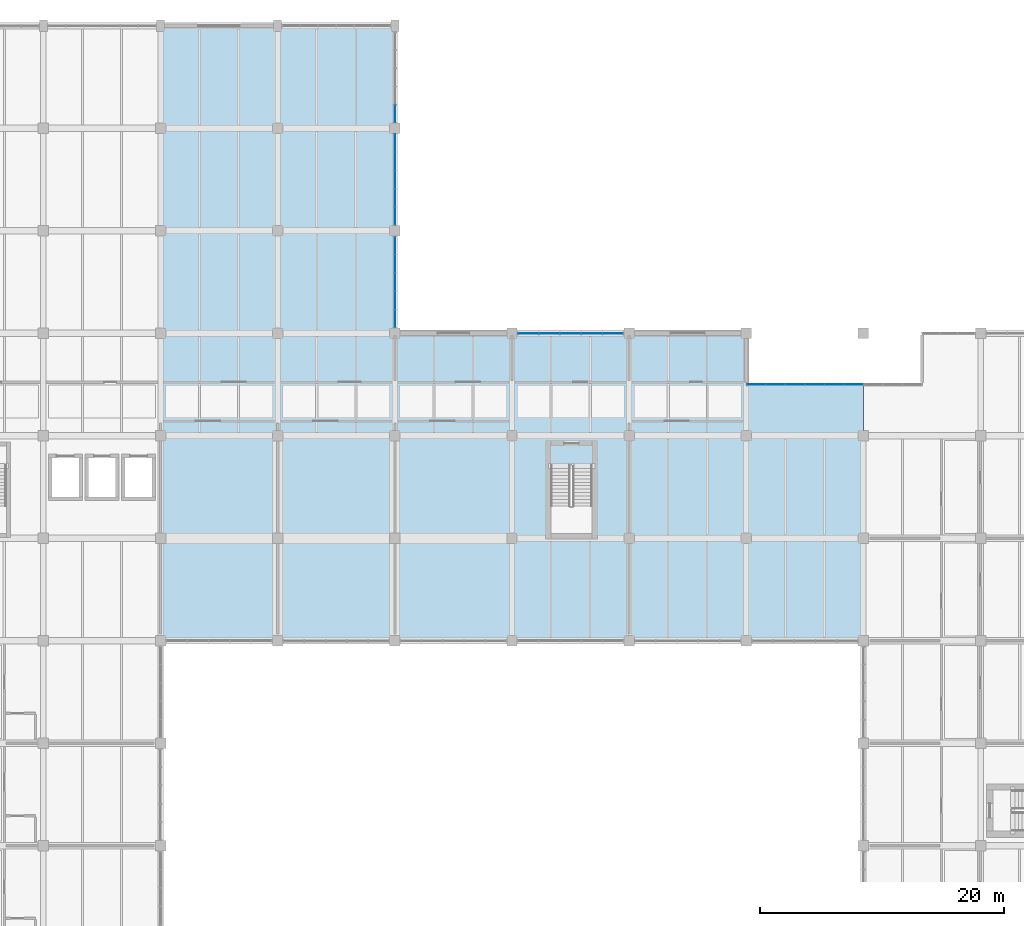
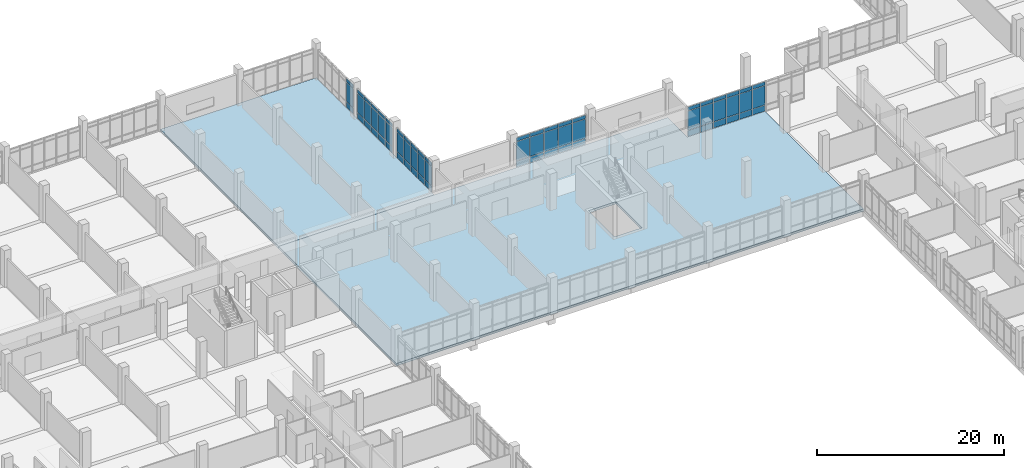
# One storey, part 94 of 152: 66 plates, 2 slabs, 5 elements without a shape of their own.
"""IFC4 building model written with IfcOpenShell, lengths in metres."""

from ifc_helpers import new_model, si_unit, direction, frame, origin, origin_2d, place, context, subcontext, project, spatial, polyline, rectangle, outline, extrude, material, layer, layer_set, type_object, element, aggregate, save


model = new_model("IFC4")

# Units and contexts
model_context = context("Model", 3, precision=1e-05, world=origin(), true_north=direction((0.0, 1.0)))
body_context = subcontext(model_context, "Body", "Model", "MODEL_VIEW")
ifc_project = project(units=[si_unit("LENGTHUNIT", "METRE"), si_unit("AREAUNIT", "SQUARE_METRE"), si_unit("VOLUMEUNIT", "CUBIC_METRE"), si_unit("PLANEANGLEUNIT", "RADIAN"), si_unit("MASSUNIT", "GRAM", prefix="KILO")], contexts=[model_context])

# Site, building, storey
site_placement = place(None, origin())
site = spatial("IfcSite", under=ifc_project, at=site_placement, CompositionType="ELEMENT")
building_placement = place(site_placement, origin())
building = spatial("IfcBuilding", under=site, at=building_placement, Name="Oolite Switchyard Hospital", CompositionType="ELEMENT")
storey_placement = place(building_placement, frame((0.0, 0.0, 5.10009765625)))
storey = spatial("IfcBuildingStorey", under=building, at=storey_placement, Name="L01", CompositionType="ELEMENT", Elevation=5.10009765625)

# Curtain wall, plates
ifc_material_1 = material(Name="Thermally broken aluminum frame with laminated impact glazing", Category="aluminium")
curtain_wall_type_1 = type_object("IfcCurtainWallType", Name="CW-UNIT-96X48", PredefinedType="USERDEFINED", material=ifc_material_1)
curtain_wall_1_placement = place(storey_placement, origin())
curtain_wall_1 = element("IfcCurtainWall", 1, at=curtain_wall_1_placement, inside=storey, type_object=curtain_wall_type_1, Name="L01 Unitised Curtain Wall 146", ObjectType="UNITISED", PredefinedType="USERDEFINED")
ifc_material_2 = material(Name="Insulated fluoropolymer-coated aluminum spandrel panel", Category="aluminium")
ifc_layer_1 = layer(ifc_material_2, 0.054931640625)
ifc_layer_set_1 = layer_set([ifc_layer_1], Name="CW-PNL-SPN55")
plate_type_1 = type_object("IfcPlateType", Name="CW-PNL-SPN55", PredefinedType="CURTAIN_PANEL", material=ifc_layer_set_1)
plate_1_placement = place(storey_placement, frame((106.4150390625, 105.0, 0.06005859375), z_axis=(0.0, 0.0, 1.0), x_axis=(1.0, 0.0, 0.0)))
plate_1 = element("IfcPlate", 2, at=plate_1_placement, type_object=plate_type_1, Name="CW-02 panel 1.1", PredefinedType="CURTAIN_PANEL", context=body_context, shape_type="SweptSolid", body=[
    extrude(rectangle(XDim=1.510009765625, YDim=0.054931640625, at=origin_2d()), origin(), (0.0, 0.0, 1.0), 0.760009765625),
])
plate_2_placement = place(storey_placement, frame((106.4150390625, 105.0, 0.8798828125), z_axis=(0.0, 0.0, 1.0), x_axis=(1.0, 0.0, 0.0)))
plate_2 = element("IfcPlate", 3, at=plate_2_placement, type_object=plate_type_1, Name="CW-02 panel 1.2", PredefinedType="CURTAIN_PANEL", context=body_context, shape_type="SweptSolid", body=[
    extrude(rectangle(XDim=1.510009765625, YDim=0.054931640625, at=origin_2d()), origin(), (0.0, 0.0, 1.0), 2.47998046875),
])
plate_3_placement = place(storey_placement, frame((106.4150390625, 105.0, 3.419921875), z_axis=(0.0, 0.0, 1.0), x_axis=(1.0, 0.0, 0.0)))
plate_3 = element("IfcPlate", 4, at=plate_3_placement, type_object=plate_type_1, Name="CW-02 panel 1.3", PredefinedType="CURTAIN_PANEL", context=body_context, shape_type="SweptSolid", body=[
    extrude(rectangle(XDim=1.510009765625, YDim=0.054931640625, at=origin_2d()), origin(), (0.0, 0.0, 1.0), 0.4599609375),
])
plate_4_placement = place(storey_placement, frame((108.0, 105.0, 0.06005859375), z_axis=(0.0, 0.0, 1.0), x_axis=(1.0, 0.0, 0.0)))
plate_4 = element("IfcPlate", 5, at=plate_4_placement, type_object=plate_type_1, Name="CW-02 panel 2.1", PredefinedType="CURTAIN_PANEL", context=body_context, shape_type="SweptSolid", body=[
    extrude(rectangle(XDim=1.5400390625, YDim=0.054931640625, at=origin_2d()), origin(), (0.0, 0.0, 1.0), 0.760009765625),
])
plate_5_placement = place(storey_placement, frame((108.0, 105.0, 0.8798828125), z_axis=(0.0, 0.0, 1.0), x_axis=(1.0, 0.0, 0.0)))
plate_5 = element("IfcPlate", 6, at=plate_5_placement, type_object=plate_type_1, Name="CW-02 panel 2.2", PredefinedType="CURTAIN_PANEL", context=body_context, shape_type="SweptSolid", body=[
    extrude(rectangle(XDim=1.5400390625, YDim=0.054931640625, at=origin_2d()), origin(), (0.0, 0.0, 1.0), 2.47998046875),
])
plate_6_placement = place(storey_placement, frame((108.0, 105.0, 3.419921875), z_axis=(0.0, 0.0, 1.0), x_axis=(1.0, 0.0, 0.0)))
plate_6 = element("IfcPlate", 7, at=plate_6_placement, type_object=plate_type_1, Name="CW-02 panel 2.3", PredefinedType="CURTAIN_PANEL", context=body_context, shape_type="SweptSolid", body=[
    extrude(rectangle(XDim=1.5400390625, YDim=0.054931640625, at=origin_2d()), origin(), (0.0, 0.0, 1.0), 0.4599609375),
])
plate_7_placement = place(storey_placement, frame((109.60009765625, 105.0, 0.06005859375), z_axis=(0.0, 0.0, 1.0), x_axis=(1.0, 0.0, 0.0)))
plate_7 = element("IfcPlate", 8, at=plate_7_placement, type_object=plate_type_1, Name="CW-02 panel 3.1", PredefinedType="CURTAIN_PANEL", context=body_context, shape_type="SweptSolid", body=[
    extrude(rectangle(XDim=1.5400390625, YDim=0.054931640625, at=origin_2d()), origin(), (0.0, 0.0, 1.0), 0.760009765625),
])
plate_8_placement = place(storey_placement, frame((109.60009765625, 105.0, 0.8798828125), z_axis=(0.0, 0.0, 1.0), x_axis=(1.0, 0.0, 0.0)))
plate_8 = element("IfcPlate", 9, at=plate_8_placement, type_object=plate_type_1, Name="CW-02 panel 3.2", PredefinedType="CURTAIN_PANEL", context=body_context, shape_type="SweptSolid", body=[
    extrude(rectangle(XDim=1.5400390625, YDim=0.054931640625, at=origin_2d()), origin(), (0.0, 0.0, 1.0), 2.47998046875),
])
plate_9_placement = place(storey_placement, frame((109.60009765625, 105.0, 3.419921875), z_axis=(0.0, 0.0, 1.0), x_axis=(1.0, 0.0, 0.0)))
plate_9 = element("IfcPlate", 10, at=plate_9_placement, type_object=plate_type_1, Name="CW-02 panel 3.3", PredefinedType="CURTAIN_PANEL", context=body_context, shape_type="SweptSolid", body=[
    extrude(rectangle(XDim=1.5400390625, YDim=0.054931640625, at=origin_2d()), origin(), (0.0, 0.0, 1.0), 0.4599609375),
])
plate_10_placement = place(storey_placement, frame((111.199951171875, 105.0, 0.06005859375), z_axis=(0.0, 0.0, 1.0), x_axis=(1.0, 0.0, 0.0)))
plate_10 = element("IfcPlate", 11, at=plate_10_placement, type_object=plate_type_1, Name="CW-02 panel 4.1", PredefinedType="CURTAIN_PANEL", context=body_context, shape_type="SweptSolid", body=[
    extrude(rectangle(XDim=1.5400390625, YDim=0.054931640625, at=origin_2d()), origin(), (0.0, 0.0, 1.0), 0.760009765625),
])
plate_11_placement = place(storey_placement, frame((111.199951171875, 105.0, 0.8798828125), z_axis=(0.0, 0.0, 1.0), x_axis=(1.0, 0.0, 0.0)))
plate_11 = element("IfcPlate", 12, at=plate_11_placement, type_object=plate_type_1, Name="CW-02 panel 4.2", PredefinedType="CURTAIN_PANEL", context=body_context, shape_type="SweptSolid", body=[
    extrude(rectangle(XDim=1.5400390625, YDim=0.054931640625, at=origin_2d()), origin(), (0.0, 0.0, 1.0), 2.47998046875),
])
plate_12_placement = place(storey_placement, frame((111.199951171875, 105.0, 3.419921875), z_axis=(0.0, 0.0, 1.0), x_axis=(1.0, 0.0, 0.0)))
plate_12 = element("IfcPlate", 13, at=plate_12_placement, type_object=plate_type_1, Name="CW-02 panel 4.3", PredefinedType="CURTAIN_PANEL", context=body_context, shape_type="SweptSolid", body=[
    extrude(rectangle(XDim=1.5400390625, YDim=0.054931640625, at=origin_2d()), origin(), (0.0, 0.0, 1.0), 0.4599609375),
])
plate_13_placement = place(storey_placement, frame((112.800048828125, 105.0, 0.06005859375), z_axis=(0.0, 0.0, 1.0), x_axis=(1.0, 0.0, 0.0)))
plate_13 = element("IfcPlate", 14, at=plate_13_placement, type_object=plate_type_1, Name="CW-02 panel 5.1", PredefinedType="CURTAIN_PANEL", context=body_context, shape_type="SweptSolid", body=[
    extrude(rectangle(XDim=1.5400390625, YDim=0.054931640625, at=origin_2d()), origin(), (0.0, 0.0, 1.0), 0.760009765625),
])
plate_14_placement = place(storey_placement, frame((112.800048828125, 105.0, 0.8798828125), z_axis=(0.0, 0.0, 1.0), x_axis=(1.0, 0.0, 0.0)))
plate_14 = element("IfcPlate", 15, at=plate_14_placement, type_object=plate_type_1, Name="CW-02 panel 5.2", PredefinedType="CURTAIN_PANEL", context=body_context, shape_type="SweptSolid", body=[
    extrude(rectangle(XDim=1.5400390625, YDim=0.054931640625, at=origin_2d()), origin(), (0.0, 0.0, 1.0), 2.47998046875),
])
plate_15_placement = place(storey_placement, frame((112.800048828125, 105.0, 3.419921875), z_axis=(0.0, 0.0, 1.0), x_axis=(1.0, 0.0, 0.0)))
plate_15 = element("IfcPlate", 16, at=plate_15_placement, type_object=plate_type_1, Name="CW-02 panel 5.3", PredefinedType="CURTAIN_PANEL", context=body_context, shape_type="SweptSolid", body=[
    extrude(rectangle(XDim=1.5400390625, YDim=0.054931640625, at=origin_2d()), origin(), (0.0, 0.0, 1.0), 0.4599609375),
])
plate_16_placement = place(storey_placement, frame((114.385009765625, 105.0, 0.06005859375), z_axis=(0.0, 0.0, 1.0), x_axis=(1.0, 0.0, 0.0)))
plate_16 = element("IfcPlate", 17, at=plate_16_placement, type_object=plate_type_1, Name="CW-02 panel 6.1", PredefinedType="CURTAIN_PANEL", context=body_context, shape_type="SweptSolid", body=[
    extrude(rectangle(XDim=1.510009765625, YDim=0.054931640625, at=origin_2d()), origin(), (0.0, 0.0, 1.0), 0.760009765625),
])
plate_17_placement = place(storey_placement, frame((114.385009765625, 105.0, 0.8798828125), z_axis=(0.0, 0.0, 1.0), x_axis=(1.0, 0.0, 0.0)))
plate_17 = element("IfcPlate", 18, at=plate_17_placement, type_object=plate_type_1, Name="CW-02 panel 6.2", PredefinedType="CURTAIN_PANEL", context=body_context, shape_type="SweptSolid", body=[
    extrude(rectangle(XDim=1.510009765625, YDim=0.054931640625, at=origin_2d()), origin(), (0.0, 0.0, 1.0), 2.47998046875),
])
plate_18_placement = place(storey_placement, frame((114.385009765625, 105.0, 3.419921875), z_axis=(0.0, 0.0, 1.0), x_axis=(1.0, 0.0, 0.0)))
plate_18 = element("IfcPlate", 19, at=plate_18_placement, type_object=plate_type_1, Name="CW-02 panel 6.3", PredefinedType="CURTAIN_PANEL", context=body_context, shape_type="SweptSolid", body=[
    extrude(rectangle(XDim=1.510009765625, YDim=0.054931640625, at=origin_2d()), origin(), (0.0, 0.0, 1.0), 0.4599609375),
])
aggregate(curtain_wall_1, [plate_1, plate_2, plate_3, plate_4, plate_5, plate_6, plate_7, plate_8, plate_9, plate_10, plate_11, plate_12, plate_13, plate_14, plate_15, plate_16, plate_17, plate_18])

curtain_wall_type_2 = type_object("IfcCurtainWallType", Name="CW-UNIT-84X48", PredefinedType="USERDEFINED", material=ifc_material_1)
curtain_wall_2_placement = place(storey_placement, origin())
curtain_wall_2 = element("IfcCurtainWall", 20, at=curtain_wall_2_placement, inside=storey, type_object=curtain_wall_type_2, Name="L01 Unitised Curtain Wall 178", ObjectType="UNITISED", PredefinedType="USERDEFINED")
ifc_material_3 = material(Name="Laminated hurricane-impact insulated glazing unit", Category="glass")
ifc_layer_2 = layer(ifc_material_3, 0.031982421875)
ifc_layer_set_2 = layer_set([ifc_layer_2], Name="CW-PNL-VIS32")
plate_type_2 = type_object("IfcPlateType", Name="CW-PNL-VIS32", PredefinedType="CURTAIN_PANEL", material=ifc_layer_set_2)
plate_19_placement = place(storey_placement, frame((76.800048828125, 127.205810546875, 0.06005859375), z_axis=(0.0, 0.0, 1.0), x_axis=(0.0, -1.0, 0.0)))
plate_19 = element("IfcPlate", 21, at=plate_19_placement, type_object=plate_type_2, Name="CW-07 panel 5.1", PredefinedType="CURTAIN_PANEL", context=body_context, shape_type="SweptSolid", body=[
    extrude(rectangle(XDim=1.381591796875, YDim=0.031982421875, at=origin_2d()), origin(), (0.0, 0.0, 1.0), 0.760009765625),
])
plate_20_placement = place(storey_placement, frame((76.800048828125, 127.205810546875, 0.8798828125), z_axis=(0.0, 0.0, 1.0), x_axis=(0.0, -1.0, 0.0)))
plate_20 = element("IfcPlate", 22, at=plate_20_placement, type_object=plate_type_2, Name="CW-07 panel 5.2", PredefinedType="CURTAIN_PANEL", context=body_context, shape_type="SweptSolid", body=[
    extrude(rectangle(XDim=1.381591796875, YDim=0.031982421875, at=origin_2d()), origin(), (0.0, 0.0, 1.0), 2.47998046875),
])
plate_21_placement = place(storey_placement, frame((76.800048828125, 127.205810546875, 3.419921875), z_axis=(0.0, 0.0, 1.0), x_axis=(0.0, -1.0, 0.0)))
plate_21 = element("IfcPlate", 23, at=plate_21_placement, type_object=plate_type_2, Name="CW-07 panel 5.3", PredefinedType="CURTAIN_PANEL", context=body_context, shape_type="SweptSolid", body=[
    extrude(rectangle(XDim=1.381591796875, YDim=0.031982421875, at=origin_2d()), origin(), (0.0, 0.0, 1.0), 0.4599609375),
])
aggregate(curtain_wall_2, [plate_19, plate_20, plate_21])

curtain_wall_3_placement = place(storey_placement, origin())
curtain_wall_3 = element("IfcCurtainWall", 24, at=curtain_wall_3_placement, inside=storey, type_object=curtain_wall_type_2, Name="L01 Unitised Curtain Wall 179", ObjectType="UNITISED", PredefinedType="USERDEFINED")
ifc_layer_3 = layer(ifc_material_3, 0.035888671875)
ifc_layer_set_3 = layer_set([ifc_layer_3], Name="CW-PNL-VIS36")
plate_type_3 = type_object("IfcPlateType", Name="CW-PNL-VIS36", PredefinedType="CURTAIN_PANEL", material=ifc_layer_set_3)
plate_22_placement = place(storey_placement, frame((76.800048828125, 124.79296875, 0.07470703125), z_axis=(0.0, 0.0, 1.0), x_axis=(0.0, -1.0, 0.0)))
plate_22 = element("IfcPlate", 25, at=plate_22_placement, type_object=plate_type_3, Name="CW-07 panel 1.1", PredefinedType="CURTAIN_PANEL", context=body_context, shape_type="SweptSolid", body=[
    extrude(rectangle(XDim=1.4140625, YDim=0.035888671875, at=origin_2d()), origin(), (0.0, 0.0, 1.0), 0.737548828125),
])
plate_23_placement = place(storey_placement, frame((76.800048828125, 124.79296875, 0.88720703125), z_axis=(0.0, 0.0, 1.0), x_axis=(0.0, -1.0, 0.0)))
plate_23 = element("IfcPlate", 26, at=plate_23_placement, type_object=plate_type_3, Name="CW-07 panel 1.2", PredefinedType="CURTAIN_PANEL", context=body_context, shape_type="SweptSolid", body=[
    extrude(rectangle(XDim=1.4140625, YDim=0.035888671875, at=origin_2d()), origin(), (0.0, 0.0, 1.0), 2.465087890625),
])
plate_24_placement = place(storey_placement, frame((76.800048828125, 124.79296875, 3.427490234375), z_axis=(0.0, 0.0, 1.0), x_axis=(0.0, -1.0, 0.0)))
plate_24 = element("IfcPlate", 27, at=plate_24_placement, type_object=plate_type_3, Name="CW-07 panel 1.3", PredefinedType="CURTAIN_PANEL", context=body_context, shape_type="SweptSolid", body=[
    extrude(rectangle(XDim=1.4140625, YDim=0.035888671875, at=origin_2d()), origin(), (0.0, 0.0, 1.0), 0.4375),
])
plate_25_placement = place(storey_placement, frame((76.800048828125, 123.303955078125, 0.07470703125), z_axis=(0.0, 0.0, 1.0), x_axis=(0.0, -1.0, 0.0)))
plate_25 = element("IfcPlate", 28, at=plate_25_placement, type_object=plate_type_3, Name="CW-07 panel 2.1", PredefinedType="CURTAIN_PANEL", context=body_context, shape_type="SweptSolid", body=[
    extrude(rectangle(XDim=1.444091796875, YDim=0.035888671875, at=origin_2d()), origin(), (0.0, 0.0, 1.0), 0.737548828125),
])
plate_26_placement = place(storey_placement, frame((76.800048828125, 123.303955078125, 0.88720703125), z_axis=(0.0, 0.0, 1.0), x_axis=(0.0, -1.0, 0.0)))
plate_26 = element("IfcPlate", 29, at=plate_26_placement, type_object=plate_type_3, Name="CW-07 panel 2.2", PredefinedType="CURTAIN_PANEL", context=body_context, shape_type="SweptSolid", body=[
    extrude(rectangle(XDim=1.444091796875, YDim=0.035888671875, at=origin_2d()), origin(), (0.0, 0.0, 1.0), 2.465087890625),
])
plate_27_placement = place(storey_placement, frame((76.800048828125, 123.303955078125, 3.427490234375), z_axis=(0.0, 0.0, 1.0), x_axis=(0.0, -1.0, 0.0)))
plate_27 = element("IfcPlate", 30, at=plate_27_placement, type_object=plate_type_3, Name="CW-07 panel 2.3", PredefinedType="CURTAIN_PANEL", context=body_context, shape_type="SweptSolid", body=[
    extrude(rectangle(XDim=1.444091796875, YDim=0.035888671875, at=origin_2d()), origin(), (0.0, 0.0, 1.0), 0.4375),
])
plate_28_placement = place(storey_placement, frame((76.800048828125, 121.800048828125, 0.07470703125), z_axis=(0.0, 0.0, 1.0), x_axis=(0.0, -1.0, 0.0)))
plate_28 = element("IfcPlate", 31, at=plate_28_placement, type_object=plate_type_3, Name="CW-07 panel 3.1", PredefinedType="CURTAIN_PANEL", context=body_context, shape_type="SweptSolid", body=[
    extrude(rectangle(XDim=1.444091796875, YDim=0.035888671875, at=origin_2d()), origin(), (0.0, 0.0, 1.0), 0.737548828125),
])
plate_29_placement = place(storey_placement, frame((76.800048828125, 121.800048828125, 0.88720703125), z_axis=(0.0, 0.0, 1.0), x_axis=(0.0, -1.0, 0.0)))
plate_29 = element("IfcPlate", 32, at=plate_29_placement, type_object=plate_type_3, Name="CW-07 panel 3.2", PredefinedType="CURTAIN_PANEL", context=body_context, shape_type="SweptSolid", body=[
    extrude(rectangle(XDim=1.444091796875, YDim=0.035888671875, at=origin_2d()), origin(), (0.0, 0.0, 1.0), 2.465087890625),
])
plate_30_placement = place(storey_placement, frame((76.800048828125, 121.800048828125, 3.427490234375), z_axis=(0.0, 0.0, 1.0), x_axis=(0.0, -1.0, 0.0)))
plate_30 = element("IfcPlate", 33, at=plate_30_placement, type_object=plate_type_3, Name="CW-07 panel 3.3", PredefinedType="CURTAIN_PANEL", context=body_context, shape_type="SweptSolid", body=[
    extrude(rectangle(XDim=1.444091796875, YDim=0.035888671875, at=origin_2d()), origin(), (0.0, 0.0, 1.0), 0.4375),
])
plate_31_placement = place(storey_placement, frame((76.800048828125, 120.2958984375, 0.07470703125), z_axis=(0.0, 0.0, 1.0), x_axis=(0.0, -1.0, 0.0)))
plate_31 = element("IfcPlate", 34, at=plate_31_placement, type_object=plate_type_3, Name="CW-07 panel 4.1", PredefinedType="CURTAIN_PANEL", context=body_context, shape_type="SweptSolid", body=[
    extrude(rectangle(XDim=1.444091796875, YDim=0.035888671875, at=origin_2d()), origin(), (0.0, 0.0, 1.0), 0.737548828125),
])
plate_32_placement = place(storey_placement, frame((76.800048828125, 120.2958984375, 0.88720703125), z_axis=(0.0, 0.0, 1.0), x_axis=(0.0, -1.0, 0.0)))
plate_32 = element("IfcPlate", 35, at=plate_32_placement, type_object=plate_type_3, Name="CW-07 panel 4.2", PredefinedType="CURTAIN_PANEL", context=body_context, shape_type="SweptSolid", body=[
    extrude(rectangle(XDim=1.444091796875, YDim=0.035888671875, at=origin_2d()), origin(), (0.0, 0.0, 1.0), 2.465087890625),
])
plate_33_placement = place(storey_placement, frame((76.800048828125, 120.2958984375, 3.427490234375), z_axis=(0.0, 0.0, 1.0), x_axis=(0.0, -1.0, 0.0)))
plate_33 = element("IfcPlate", 36, at=plate_33_placement, type_object=plate_type_3, Name="CW-07 panel 4.3", PredefinedType="CURTAIN_PANEL", context=body_context, shape_type="SweptSolid", body=[
    extrude(rectangle(XDim=1.444091796875, YDim=0.035888671875, at=origin_2d()), origin(), (0.0, 0.0, 1.0), 0.4375),
])
plate_34_placement = place(storey_placement, frame((76.800048828125, 118.806884765625, 0.07470703125), z_axis=(0.0, 0.0, 1.0), x_axis=(0.0, -1.0, 0.0)))
plate_34 = element("IfcPlate", 37, at=plate_34_placement, type_object=plate_type_3, Name="CW-07 panel 5.1", PredefinedType="CURTAIN_PANEL", context=body_context, shape_type="SweptSolid", body=[
    extrude(rectangle(XDim=1.4140625, YDim=0.035888671875, at=origin_2d()), origin(), (0.0, 0.0, 1.0), 0.737548828125),
])
plate_35_placement = place(storey_placement, frame((76.800048828125, 118.806884765625, 0.88720703125), z_axis=(0.0, 0.0, 1.0), x_axis=(0.0, -1.0, 0.0)))
plate_35 = element("IfcPlate", 38, at=plate_35_placement, type_object=plate_type_3, Name="CW-07 panel 5.2", PredefinedType="CURTAIN_PANEL", context=body_context, shape_type="SweptSolid", body=[
    extrude(rectangle(XDim=1.4140625, YDim=0.035888671875, at=origin_2d()), origin(), (0.0, 0.0, 1.0), 2.465087890625),
])
plate_36_placement = place(storey_placement, frame((76.800048828125, 118.806884765625, 3.427490234375), z_axis=(0.0, 0.0, 1.0), x_axis=(0.0, -1.0, 0.0)))
plate_36 = element("IfcPlate", 39, at=plate_36_placement, type_object=plate_type_3, Name="CW-07 panel 5.3", PredefinedType="CURTAIN_PANEL", context=body_context, shape_type="SweptSolid", body=[
    extrude(rectangle(XDim=1.4140625, YDim=0.035888671875, at=origin_2d()), origin(), (0.0, 0.0, 1.0), 0.4375),
])
aggregate(curtain_wall_3, [plate_22, plate_23, plate_24, plate_25, plate_26, plate_27, plate_28, plate_29, plate_30, plate_31, plate_32, plate_33, plate_34, plate_35, plate_36])

curtain_wall_4_placement = place(storey_placement, origin())
curtain_wall_4 = element("IfcCurtainWall", 40, at=curtain_wall_4_placement, inside=storey, type_object=curtain_wall_type_1, Name="L01 Unitised Curtain Wall 148", ObjectType="UNITISED", PredefinedType="USERDEFINED")
ifc_layer_4 = layer(ifc_material_3, 0.0419921875)
ifc_layer_set_4 = layer_set([ifc_layer_4], Name="CW-PNL-VIS42")
plate_type_4 = type_object("IfcPlateType", Name="CW-PNL-VIS42", PredefinedType="CURTAIN_PANEL", material=ifc_layer_set_4)
plate_37_placement = place(storey_placement, frame((87.730712890625, 109.199951171875, 0.06005859375), z_axis=(0.0, 0.0, 1.0), x_axis=(1.0, 0.0, 0.0)))
plate_37 = element("IfcPlate", 41, at=plate_37_placement, type_object=plate_type_4, Name="CW-02 panel 1.1", PredefinedType="CURTAIN_PANEL", context=body_context, shape_type="SweptSolid", body=[
    extrude(rectangle(XDim=1.631591796875, YDim=0.0419921875, at=origin_2d()), origin(), (0.0, 0.0, 1.0), 0.760009765625),
])
plate_38_placement = place(storey_placement, frame((87.730712890625, 109.199951171875, 0.8798828125), z_axis=(0.0, 0.0, 1.0), x_axis=(1.0, 0.0, 0.0)))
plate_38 = element("IfcPlate", 42, at=plate_38_placement, type_object=plate_type_4, Name="CW-02 panel 1.2", PredefinedType="CURTAIN_PANEL", context=body_context, shape_type="SweptSolid", body=[
    extrude(rectangle(XDim=1.631591796875, YDim=0.0419921875, at=origin_2d()), origin(), (0.0, 0.0, 1.0), 2.47998046875),
])
plate_39_placement = place(storey_placement, frame((87.730712890625, 109.199951171875, 3.419921875), z_axis=(0.0, 0.0, 1.0), x_axis=(1.0, 0.0, 0.0)))
plate_39 = element("IfcPlate", 43, at=plate_39_placement, type_object=plate_type_4, Name="CW-02 panel 1.3", PredefinedType="CURTAIN_PANEL", context=body_context, shape_type="SweptSolid", body=[
    extrude(rectangle(XDim=1.631591796875, YDim=0.0419921875, at=origin_2d()), origin(), (0.0, 0.0, 1.0), 0.4599609375),
])
plate_40_placement = place(storey_placement, frame((89.4560546875, 109.199951171875, 0.06005859375), z_axis=(0.0, 0.0, 1.0), x_axis=(1.0, 0.0, 0.0)))
plate_40 = element("IfcPlate", 44, at=plate_40_placement, type_object=plate_type_4, Name="CW-02 panel 2.1", PredefinedType="CURTAIN_PANEL", context=body_context, shape_type="SweptSolid", body=[
    extrude(rectangle(XDim=1.6689453125, YDim=0.0419921875, at=origin_2d()), origin(), (0.0, 0.0, 1.0), 0.760009765625),
])
plate_41_placement = place(storey_placement, frame((89.4560546875, 109.199951171875, 0.8798828125), z_axis=(0.0, 0.0, 1.0), x_axis=(1.0, 0.0, 0.0)))
plate_41 = element("IfcPlate", 45, at=plate_41_placement, type_object=plate_type_4, Name="CW-02 panel 2.2", PredefinedType="CURTAIN_PANEL", context=body_context, shape_type="SweptSolid", body=[
    extrude(rectangle(XDim=1.6689453125, YDim=0.0419921875, at=origin_2d()), origin(), (0.0, 0.0, 1.0), 2.47998046875),
])
plate_42_placement = place(storey_placement, frame((89.4560546875, 109.199951171875, 3.419921875), z_axis=(0.0, 0.0, 1.0), x_axis=(1.0, 0.0, 0.0)))
plate_42 = element("IfcPlate", 46, at=plate_42_placement, type_object=plate_type_4, Name="CW-02 panel 2.3", PredefinedType="CURTAIN_PANEL", context=body_context, shape_type="SweptSolid", body=[
    extrude(rectangle(XDim=1.6689453125, YDim=0.0419921875, at=origin_2d()), origin(), (0.0, 0.0, 1.0), 0.4599609375),
])
plate_43_placement = place(storey_placement, frame((91.199951171875, 109.199951171875, 0.06005859375), z_axis=(0.0, 0.0, 1.0), x_axis=(1.0, 0.0, 0.0)))
plate_43 = element("IfcPlate", 47, at=plate_43_placement, type_object=plate_type_4, Name="CW-02 panel 3.1", PredefinedType="CURTAIN_PANEL", context=body_context, shape_type="SweptSolid", body=[
    extrude(rectangle(XDim=1.6689453125, YDim=0.0419921875, at=origin_2d()), origin(), (0.0, 0.0, 1.0), 0.760009765625),
])
plate_44_placement = place(storey_placement, frame((91.199951171875, 109.199951171875, 0.8798828125), z_axis=(0.0, 0.0, 1.0), x_axis=(1.0, 0.0, 0.0)))
plate_44 = element("IfcPlate", 48, at=plate_44_placement, type_object=plate_type_4, Name="CW-02 panel 3.2", PredefinedType="CURTAIN_PANEL", context=body_context, shape_type="SweptSolid", body=[
    extrude(rectangle(XDim=1.6689453125, YDim=0.0419921875, at=origin_2d()), origin(), (0.0, 0.0, 1.0), 2.47998046875),
])
plate_45_placement = place(storey_placement, frame((91.199951171875, 109.199951171875, 3.419921875), z_axis=(0.0, 0.0, 1.0), x_axis=(1.0, 0.0, 0.0)))
plate_45 = element("IfcPlate", 49, at=plate_45_placement, type_object=plate_type_4, Name="CW-02 panel 3.3", PredefinedType="CURTAIN_PANEL", context=body_context, shape_type="SweptSolid", body=[
    extrude(rectangle(XDim=1.6689453125, YDim=0.0419921875, at=origin_2d()), origin(), (0.0, 0.0, 1.0), 0.4599609375),
])
plate_46_placement = place(storey_placement, frame((92.944091796875, 109.199951171875, 0.06005859375), z_axis=(0.0, 0.0, 1.0), x_axis=(1.0, 0.0, 0.0)))
plate_46 = element("IfcPlate", 50, at=plate_46_placement, type_object=plate_type_4, Name="CW-02 panel 4.1", PredefinedType="CURTAIN_PANEL", context=body_context, shape_type="SweptSolid", body=[
    extrude(rectangle(XDim=1.6689453125, YDim=0.0419921875, at=origin_2d()), origin(), (0.0, 0.0, 1.0), 0.760009765625),
])
plate_47_placement = place(storey_placement, frame((92.944091796875, 109.199951171875, 0.8798828125), z_axis=(0.0, 0.0, 1.0), x_axis=(1.0, 0.0, 0.0)))
plate_47 = element("IfcPlate", 51, at=plate_47_placement, type_object=plate_type_4, Name="CW-02 panel 4.2", PredefinedType="CURTAIN_PANEL", context=body_context, shape_type="SweptSolid", body=[
    extrude(rectangle(XDim=1.6689453125, YDim=0.0419921875, at=origin_2d()), origin(), (0.0, 0.0, 1.0), 2.47998046875),
])
plate_48_placement = place(storey_placement, frame((92.944091796875, 109.199951171875, 3.419921875), z_axis=(0.0, 0.0, 1.0), x_axis=(1.0, 0.0, 0.0)))
plate_48 = element("IfcPlate", 52, at=plate_48_placement, type_object=plate_type_4, Name="CW-02 panel 4.3", PredefinedType="CURTAIN_PANEL", context=body_context, shape_type="SweptSolid", body=[
    extrude(rectangle(XDim=1.6689453125, YDim=0.0419921875, at=origin_2d()), origin(), (0.0, 0.0, 1.0), 0.4599609375),
])
plate_49_placement = place(storey_placement, frame((94.669189453125, 109.199951171875, 0.06005859375), z_axis=(0.0, 0.0, 1.0), x_axis=(1.0, 0.0, 0.0)))
plate_49 = element("IfcPlate", 53, at=plate_49_placement, type_object=plate_type_4, Name="CW-02 panel 5.1", PredefinedType="CURTAIN_PANEL", context=body_context, shape_type="SweptSolid", body=[
    extrude(rectangle(XDim=1.631591796875, YDim=0.0419921875, at=origin_2d()), origin(), (0.0, 0.0, 1.0), 0.760009765625),
])
plate_50_placement = place(storey_placement, frame((94.669189453125, 109.199951171875, 0.8798828125), z_axis=(0.0, 0.0, 1.0), x_axis=(1.0, 0.0, 0.0)))
plate_50 = element("IfcPlate", 54, at=plate_50_placement, type_object=plate_type_4, Name="CW-02 panel 5.2", PredefinedType="CURTAIN_PANEL", context=body_context, shape_type="SweptSolid", body=[
    extrude(rectangle(XDim=1.631591796875, YDim=0.0419921875, at=origin_2d()), origin(), (0.0, 0.0, 1.0), 2.47998046875),
])
plate_51_placement = place(storey_placement, frame((94.669189453125, 109.199951171875, 3.419921875), z_axis=(0.0, 0.0, 1.0), x_axis=(1.0, 0.0, 0.0)))
plate_51 = element("IfcPlate", 55, at=plate_51_placement, type_object=plate_type_4, Name="CW-02 panel 5.3", PredefinedType="CURTAIN_PANEL", context=body_context, shape_type="SweptSolid", body=[
    extrude(rectangle(XDim=1.631591796875, YDim=0.0419921875, at=origin_2d()), origin(), (0.0, 0.0, 1.0), 0.4599609375),
])
aggregate(curtain_wall_4, [plate_37, plate_38, plate_39, plate_40, plate_41, plate_42, plate_43, plate_44, plate_45, plate_46, plate_47, plate_48, plate_49, plate_50, plate_51])

curtain_wall_5_placement = place(storey_placement, origin())
curtain_wall_5 = element("IfcCurtainWall", 56, at=curtain_wall_5_placement, inside=storey, type_object=curtain_wall_type_2, Name="L01 Unitised Curtain Wall 180", ObjectType="UNITISED", PredefinedType="USERDEFINED")
plate_52_placement = place(storey_placement, frame((76.800048828125, 116.390380859375, 0.06005859375), z_axis=(0.0, 0.0, 1.0), x_axis=(0.0, -1.0, 0.0)))
plate_52 = element("IfcPlate", 57, at=plate_52_placement, type_object=plate_type_4, Name="CW-07 panel 1.1", PredefinedType="CURTAIN_PANEL", context=body_context, shape_type="SweptSolid", body=[
    extrude(rectangle(XDim=1.39892578125, YDim=0.0419921875, at=origin_2d()), origin(), (0.0, 0.0, 1.0), 0.760009765625),
])
plate_53_placement = place(storey_placement, frame((76.800048828125, 116.390380859375, 0.8798828125), z_axis=(0.0, 0.0, 1.0), x_axis=(0.0, -1.0, 0.0)))
plate_53 = element("IfcPlate", 58, at=plate_53_placement, type_object=plate_type_4, Name="CW-07 panel 1.2", PredefinedType="CURTAIN_PANEL", context=body_context, shape_type="SweptSolid", body=[
    extrude(rectangle(XDim=1.39892578125, YDim=0.0419921875, at=origin_2d()), origin(), (0.0, 0.0, 1.0), 2.47998046875),
])
plate_54_placement = place(storey_placement, frame((76.800048828125, 116.390380859375, 3.419921875), z_axis=(0.0, 0.0, 1.0), x_axis=(0.0, -1.0, 0.0)))
plate_54 = element("IfcPlate", 59, at=plate_54_placement, type_object=plate_type_4, Name="CW-07 panel 1.3", PredefinedType="CURTAIN_PANEL", context=body_context, shape_type="SweptSolid", body=[
    extrude(rectangle(XDim=1.39892578125, YDim=0.0419921875, at=origin_2d()), origin(), (0.0, 0.0, 1.0), 0.4599609375),
])
plate_55_placement = place(storey_placement, frame((76.800048828125, 114.904052734375, 0.06005859375), z_axis=(0.0, 0.0, 1.0), x_axis=(0.0, -1.0, 0.0)))
plate_55 = element("IfcPlate", 60, at=plate_55_placement, type_object=plate_type_4, Name="CW-07 panel 2.1", PredefinedType="CURTAIN_PANEL", context=body_context, shape_type="SweptSolid", body=[
    extrude(rectangle(XDim=1.43408203125, YDim=0.0419921875, at=origin_2d()), origin(), (0.0, 0.0, 1.0), 0.760009765625),
])
plate_56_placement = place(storey_placement, frame((76.800048828125, 114.904052734375, 0.8798828125), z_axis=(0.0, 0.0, 1.0), x_axis=(0.0, -1.0, 0.0)))
plate_56 = element("IfcPlate", 61, at=plate_56_placement, type_object=plate_type_4, Name="CW-07 panel 2.2", PredefinedType="CURTAIN_PANEL", context=body_context, shape_type="SweptSolid", body=[
    extrude(rectangle(XDim=1.43408203125, YDim=0.0419921875, at=origin_2d()), origin(), (0.0, 0.0, 1.0), 2.47998046875),
])
plate_57_placement = place(storey_placement, frame((76.800048828125, 114.904052734375, 3.419921875), z_axis=(0.0, 0.0, 1.0), x_axis=(0.0, -1.0, 0.0)))
plate_57 = element("IfcPlate", 62, at=plate_57_placement, type_object=plate_type_4, Name="CW-07 panel 2.3", PredefinedType="CURTAIN_PANEL", context=body_context, shape_type="SweptSolid", body=[
    extrude(rectangle(XDim=1.43408203125, YDim=0.0419921875, at=origin_2d()), origin(), (0.0, 0.0, 1.0), 0.4599609375),
])
plate_58_placement = place(storey_placement, frame((76.800048828125, 113.39990234375, 0.06005859375), z_axis=(0.0, 0.0, 1.0), x_axis=(0.0, -1.0, 0.0)))
plate_58 = element("IfcPlate", 63, at=plate_58_placement, type_object=plate_type_4, Name="CW-07 panel 3.1", PredefinedType="CURTAIN_PANEL", context=body_context, shape_type="SweptSolid", body=[
    extrude(rectangle(XDim=1.43408203125, YDim=0.0419921875, at=origin_2d()), origin(), (0.0, 0.0, 1.0), 0.760009765625),
])
plate_59_placement = place(storey_placement, frame((76.800048828125, 113.39990234375, 0.8798828125), z_axis=(0.0, 0.0, 1.0), x_axis=(0.0, -1.0, 0.0)))
plate_59 = element("IfcPlate", 64, at=plate_59_placement, type_object=plate_type_4, Name="CW-07 panel 3.2", PredefinedType="CURTAIN_PANEL", context=body_context, shape_type="SweptSolid", body=[
    extrude(rectangle(XDim=1.43408203125, YDim=0.0419921875, at=origin_2d()), origin(), (0.0, 0.0, 1.0), 2.47998046875),
])
plate_60_placement = place(storey_placement, frame((76.800048828125, 113.39990234375, 3.419921875), z_axis=(0.0, 0.0, 1.0), x_axis=(0.0, -1.0, 0.0)))
plate_60 = element("IfcPlate", 65, at=plate_60_placement, type_object=plate_type_4, Name="CW-07 panel 3.3", PredefinedType="CURTAIN_PANEL", context=body_context, shape_type="SweptSolid", body=[
    extrude(rectangle(XDim=1.43408203125, YDim=0.0419921875, at=origin_2d()), origin(), (0.0, 0.0, 1.0), 0.4599609375),
])
plate_61_placement = place(storey_placement, frame((76.800048828125, 111.89599609375, 0.06005859375), z_axis=(0.0, 0.0, 1.0), x_axis=(0.0, -1.0, 0.0)))
plate_61 = element("IfcPlate", 66, at=plate_61_placement, type_object=plate_type_4, Name="CW-07 panel 4.1", PredefinedType="CURTAIN_PANEL", context=body_context, shape_type="SweptSolid", body=[
    extrude(rectangle(XDim=1.43408203125, YDim=0.0419921875, at=origin_2d()), origin(), (0.0, 0.0, 1.0), 0.760009765625),
])
plate_62_placement = place(storey_placement, frame((76.800048828125, 111.89599609375, 0.8798828125), z_axis=(0.0, 0.0, 1.0), x_axis=(0.0, -1.0, 0.0)))
plate_62 = element("IfcPlate", 67, at=plate_62_placement, type_object=plate_type_4, Name="CW-07 panel 4.2", PredefinedType="CURTAIN_PANEL", context=body_context, shape_type="SweptSolid", body=[
    extrude(rectangle(XDim=1.43408203125, YDim=0.0419921875, at=origin_2d()), origin(), (0.0, 0.0, 1.0), 2.47998046875),
])
plate_63_placement = place(storey_placement, frame((76.800048828125, 111.89599609375, 3.419921875), z_axis=(0.0, 0.0, 1.0), x_axis=(0.0, -1.0, 0.0)))
plate_63 = element("IfcPlate", 68, at=plate_63_placement, type_object=plate_type_4, Name="CW-07 panel 4.3", PredefinedType="CURTAIN_PANEL", context=body_context, shape_type="SweptSolid", body=[
    extrude(rectangle(XDim=1.43408203125, YDim=0.0419921875, at=origin_2d()), origin(), (0.0, 0.0, 1.0), 0.4599609375),
])
plate_64_placement = place(storey_placement, frame((76.800048828125, 110.409423828125, 0.06005859375), z_axis=(0.0, 0.0, 1.0), x_axis=(0.0, -1.0, 0.0)))
plate_64 = element("IfcPlate", 69, at=plate_64_placement, type_object=plate_type_4, Name="CW-07 panel 5.1", PredefinedType="CURTAIN_PANEL", context=body_context, shape_type="SweptSolid", body=[
    extrude(rectangle(XDim=1.39892578125, YDim=0.0419921875, at=origin_2d()), origin(), (0.0, 0.0, 1.0), 0.760009765625),
])
plate_65_placement = place(storey_placement, frame((76.800048828125, 110.409423828125, 0.8798828125), z_axis=(0.0, 0.0, 1.0), x_axis=(0.0, -1.0, 0.0)))
plate_65 = element("IfcPlate", 70, at=plate_65_placement, type_object=plate_type_4, Name="CW-07 panel 5.2", PredefinedType="CURTAIN_PANEL", context=body_context, shape_type="SweptSolid", body=[
    extrude(rectangle(XDim=1.39892578125, YDim=0.0419921875, at=origin_2d()), origin(), (0.0, 0.0, 1.0), 2.47998046875),
])
plate_66_placement = place(storey_placement, frame((76.800048828125, 110.409423828125, 3.419921875), z_axis=(0.0, 0.0, 1.0), x_axis=(0.0, -1.0, 0.0)))
plate_66 = element("IfcPlate", 71, at=plate_66_placement, type_object=plate_type_4, Name="CW-07 panel 5.3", PredefinedType="CURTAIN_PANEL", context=body_context, shape_type="SweptSolid", body=[
    extrude(rectangle(XDim=1.39892578125, YDim=0.0419921875, at=origin_2d()), origin(), (0.0, 0.0, 1.0), 0.4599609375),
])
aggregate(curtain_wall_5, [plate_52, plate_53, plate_54, plate_55, plate_56, plate_57, plate_58, plate_59, plate_60, plate_61, plate_62, plate_63, plate_64, plate_65, plate_66])

# Slabs
ifc_material_4 = material(Name="Concrete C40/50", Category="concrete")
ifc_layer_5 = layer(ifc_material_4, 0.300048828125)
ifc_layer_set_5 = layer_set([ifc_layer_5], Name="SLB-FLR-300")
slab_type = type_object("IfcSlabType", Name="SLB-FLR-300", PredefinedType="FLOOR", material=ifc_layer_set_5)
slab_1_placement = place(storey_placement, frame((0.0, 0.0, -0.300048828125)))
element("IfcSlab", 72, at=slab_1_placement, inside=storey, type_object=slab_type, Name="L01 V4 Slab V4N", PredefinedType="FLOOR", context=body_context, shape_type="SweptSolid", body=[
    extrude(outline(polyline([(57.60009765625, 84.0), (115.199951171875, 84.0), (115.199951171875, 105.0), (105.60009765625, 105.0), (105.60009765625, 109.199951171875), (57.60009765625, 109.199951171875), (57.60009765625, 84.0)]), holes=[polyline([(89.60009765625, 98.389892578125), (89.60009765625, 92.800048828125), (92.9599609375, 92.800048828125), (92.9599609375, 98.389892578125), (89.60009765625, 98.389892578125)])]), origin(), (0.0, 0.0, 1.0), 0.300048828125),
])
slab_2_placement = place(storey_placement, frame((0.0, 0.0, -0.300048828125)))
element("IfcSlab", 73, at=slab_2_placement, inside=storey, type_object=slab_type, Name="L01 V3 Slab V3C", PredefinedType="FLOOR", context=body_context, shape_type="SweptSolid", body=[
    extrude(outline(polyline([(57.60009765625, 109.199951171875), (76.800048828125, 109.199951171875), (76.800048828125, 134.39990234375), (57.60009765625, 134.39990234375), (57.60009765625, 109.199951171875)])), origin(), (0.0, 0.0, 1.0), 0.300048828125),
])

save(model, "model.ifc")
